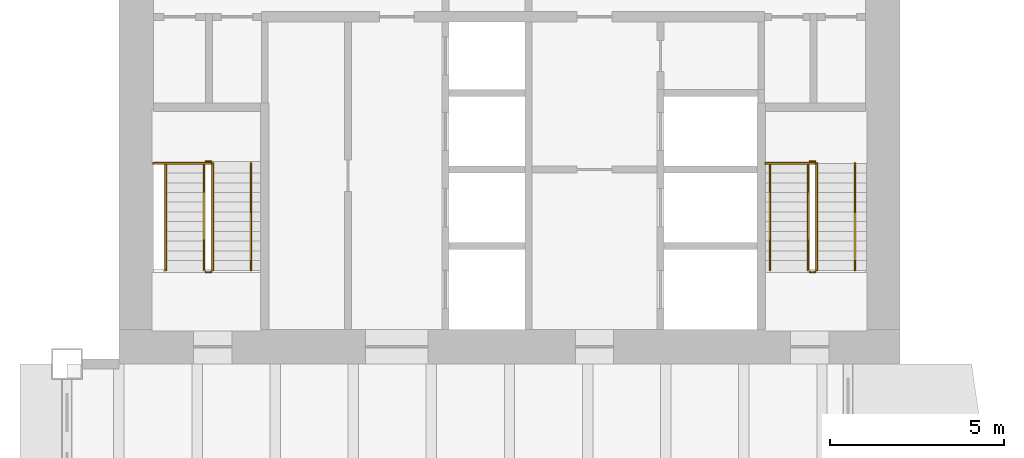
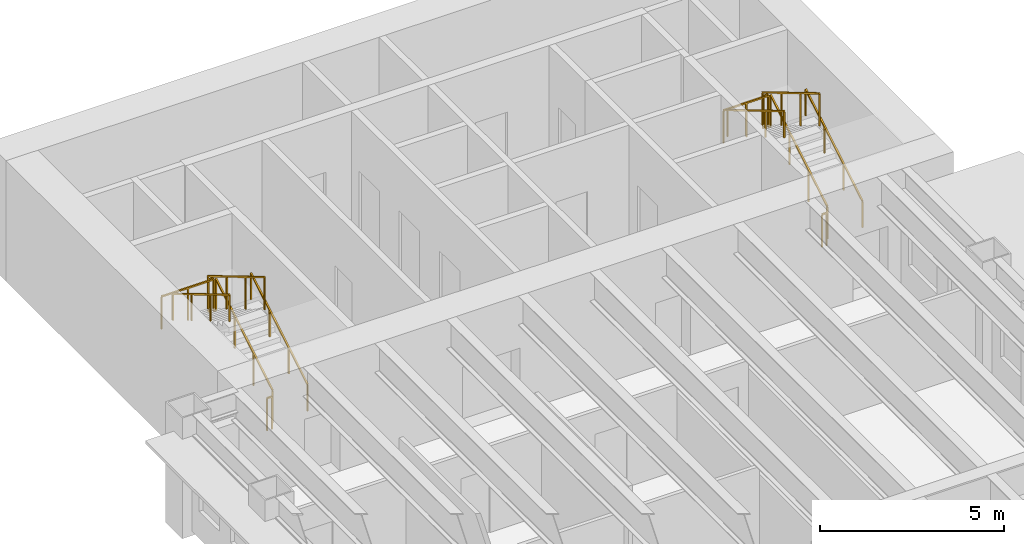
# One storey, part 16 of 16: 14 railings.
"""IFC4 building model written with IfcOpenShell, lengths in metres."""

from ifc_helpers import new_model, si_unit, direction, frame, origin, origin_2d, place, context, subcontext, project, spatial, rectangle, extrude, material, type_object, element, save


model = new_model("IFC4")

# Units and contexts
model_context = context("Model", 3, precision=1e-05, world=origin(), true_north=direction((0.0, 1.0)))
body_context = subcontext(model_context, "Body", "Model", "MODEL_VIEW")
ifc_project = project(units=[si_unit("LENGTHUNIT", "METRE"), si_unit("AREAUNIT", "SQUARE_METRE"), si_unit("VOLUMEUNIT", "CUBIC_METRE"), si_unit("PLANEANGLEUNIT", "RADIAN"), si_unit("MASSUNIT", "GRAM", prefix="KILO")], contexts=[model_context])

# Site, building, storey
site_placement = place(None, origin())
site = spatial("IfcSite", under=ifc_project, at=site_placement, CompositionType="ELEMENT")
building_placement = place(site_placement, origin())
building = spatial("IfcBuilding", under=site, at=building_placement, Name="Sennacour Bend Tower", CompositionType="ELEMENT")
storey_placement = place(building_placement, frame((0.0, 0.0, 179.0)))
storey = spatial("IfcBuildingStorey", under=building, at=storey_placement, Name="L41", CompositionType="ELEMENT", Elevation=179.0)

# Railings
ifc_material = material(Name="Stainless steel", Category="steel")
railing_type_1 = type_object("IfcRailingType", Name="RL-GUARD-1100", PredefinedType="GUARDRAIL", material=ifc_material)
railing_1_placement = place(storey_placement, frame((2.699951171875, 38.699951171875, 0.166748046875)))
element("IfcRailing", 1, at=railing_1_placement, inside=storey, type_object=railing_type_1, Name="L41 SB1 stair guard 1", PredefinedType="GUARDRAIL", context=body_context, shape_type="SweptSolid", body=[
    extrude(rectangle(XDim=0.048095703125, YDim=0.048095703125, at=origin_2d()), frame((0.0, 0.0, 1.076171875), z_axis=(0.0, 0.859308565015, 0.511457515432), x_axis=(-1.0, 0.0, 0.0)), (0.0, 0.0, 1.0), 3.58447265625),
    extrude(rectangle(XDim=0.0419921875, YDim=0.0419921875, at=origin_2d()), origin(), (0.0, 0.0, 1.0), 1.052001953125),
    extrude(rectangle(XDim=0.0419921875, YDim=0.0419921875, at=origin_2d()), frame((0.0, 1.026611328125, 0.611083984375)), (0.0, 0.0, 1.0), 1.052001953125),
    extrude(rectangle(XDim=0.0419921875, YDim=0.0419921875, at=origin_2d()), frame((0.0, 2.053466796875, 1.22216796875)), (0.0, 0.0, 1.0), 1.052001953125),
    extrude(rectangle(XDim=0.0419921875, YDim=0.0419921875, at=origin_2d()), frame((0.0, 3.080078125, 1.833251953125)), (0.0, 0.0, 1.0), 1.052001953125),
])
railing_2_placement = place(storey_placement, frame((2.64990234375, 41.830078125, 2.0)))
element("IfcRailing", 2, at=railing_2_placement, inside=storey, type_object=railing_type_1, Name="L41 SB1 stair guard 2", PredefinedType="GUARDRAIL", context=body_context, shape_type="SweptSolid", body=[
    extrude(rectangle(XDim=0.048095703125, YDim=0.048095703125, at=origin_2d()), frame((0.0, 0.0, 1.076171875), z_axis=(-1.0, 0.0, 0.0), x_axis=(0.0, -1.0, 0.0)), (0.0, 0.0, 1.0), 0.14990234375),
    extrude(rectangle(XDim=0.0419921875, YDim=0.0419921875, at=origin_2d()), origin(), (0.0, 0.0, 1.0), 1.052001953125),
    extrude(rectangle(XDim=0.0419921875, YDim=0.0419921875, at=origin_2d()), frame((-0.14990234375, 0.0, 0.0)), (0.0, 0.0, 1.0), 1.052001953125),
])
railing_3_placement = place(storey_placement, frame((2.449951171875, 41.780029296875, 2.166748046875)))
element("IfcRailing", 3, at=railing_3_placement, inside=storey, type_object=railing_type_1, Name="L41 SB1 stair guard 4", PredefinedType="GUARDRAIL", context=body_context, shape_type="SweptSolid", body=[
    extrude(rectangle(XDim=0.048095703125, YDim=0.048095703125, at=origin_2d()), frame((0.0, 0.0, 1.076171875), z_axis=(0.0, -0.859308565015, 0.511457515432), x_axis=(1.0, 0.0, 0.0)), (0.0, 0.0, 1.0), 3.58447265625),
    extrude(rectangle(XDim=0.0419921875, YDim=0.0419921875, at=origin_2d()), origin(), (0.0, 0.0, 1.0), 1.052001953125),
    extrude(rectangle(XDim=0.0419921875, YDim=0.0419921875, at=origin_2d()), frame((0.0, -1.026611328125, 0.611083984375)), (0.0, 0.0, 1.0), 1.052001953125),
    extrude(rectangle(XDim=0.0419921875, YDim=0.0419921875, at=origin_2d()), frame((0.0, -2.053466796875, 1.22216796875)), (0.0, 0.0, 1.0), 1.052001953125),
    extrude(rectangle(XDim=0.0419921875, YDim=0.0419921875, at=origin_2d()), frame((0.0, -3.080078125, 1.833251953125)), (0.0, 0.0, 1.0), 1.052001953125),
])
railing_4_placement = place(storey_placement, frame((2.64990234375, 38.64990234375, 0.0)))
element("IfcRailing", 4, at=railing_4_placement, inside=storey, type_object=railing_type_1, Name="L41 SB1 stair guard 5", PredefinedType="GUARDRAIL", context=body_context, shape_type="SweptSolid", body=[
    extrude(rectangle(XDim=0.048095703125, YDim=0.048095703125, at=origin_2d()), frame((0.0, 0.0, 1.076171875), z_axis=(-1.0, 0.0, 0.0), x_axis=(0.0, -1.0, 0.0)), (0.0, 0.0, 1.0), 0.14990234375),
    extrude(rectangle(XDim=0.0419921875, YDim=0.0419921875, at=origin_2d()), origin(), (0.0, 0.0, 1.0), 1.052001953125),
    extrude(rectangle(XDim=0.0419921875, YDim=0.0419921875, at=origin_2d()), frame((-0.14990234375, 0.0, 0.0)), (0.0, 0.0, 1.0), 1.052001953125),
])
railing_5_placement = place(storey_placement, frame((2.64990234375, 41.780029296875, 2.0)))
element("IfcRailing", 5, at=railing_5_placement, inside=storey, type_object=railing_type_1, Name="L41 SB1 landing edge guard 66", PredefinedType="GUARDRAIL", context=body_context, shape_type="SweptSolid", body=[
    extrude(rectangle(XDim=0.048095703125, YDim=0.048095703125, at=origin_2d()), frame((0.0, 0.0, 1.076171875), z_axis=(-1.0, 0.0, 0.0), x_axis=(0.0, -1.0, 0.0)), (0.0, 0.0, 1.0), 1.64990234375),
    extrude(rectangle(XDim=0.0419921875, YDim=0.0419921875, at=origin_2d()), origin(), (0.0, 0.0, 1.0), 1.052001953125),
    extrude(rectangle(XDim=0.0419921875, YDim=0.0419921875, at=origin_2d()), frame((-0.824951171875, 0.0, 0.0)), (0.0, 0.0, 1.0), 1.052001953125),
    extrude(rectangle(XDim=0.0419921875, YDim=0.0419921875, at=origin_2d()), frame((-1.64990234375, 0.0, 0.0)), (0.0, 0.0, 1.0), 1.052001953125),
])
railing_6_placement = place(storey_placement, frame((20.10009765625, 38.699951171875, 0.166748046875)))
element("IfcRailing", 6, at=railing_6_placement, inside=storey, type_object=railing_type_1, Name="L41 SB2 stair guard 1", PredefinedType="GUARDRAIL", context=body_context, shape_type="SweptSolid", body=[
    extrude(rectangle(XDim=0.048095703125, YDim=0.048095703125, at=origin_2d()), frame((0.0, 0.0, 1.076171875), z_axis=(0.0, 0.859308565015, 0.511457515432), x_axis=(-1.0, 0.0, 0.0)), (0.0, 0.0, 1.0), 3.58447265625),
    extrude(rectangle(XDim=0.0419921875, YDim=0.0419921875, at=origin_2d()), origin(), (0.0, 0.0, 1.0), 1.052001953125),
    extrude(rectangle(XDim=0.0419921875, YDim=0.0419921875, at=origin_2d()), frame((0.0, 1.026611328125, 0.611083984375)), (0.0, 0.0, 1.0), 1.052001953125),
    extrude(rectangle(XDim=0.0419921875, YDim=0.0419921875, at=origin_2d()), frame((0.0, 2.053466796875, 1.22216796875)), (0.0, 0.0, 1.0), 1.052001953125),
    extrude(rectangle(XDim=0.0419921875, YDim=0.0419921875, at=origin_2d()), frame((0.0, 3.080078125, 1.833251953125)), (0.0, 0.0, 1.0), 1.052001953125),
])
railing_7_placement = place(storey_placement, frame((20.050048828125, 41.830078125, 2.0)))
element("IfcRailing", 7, at=railing_7_placement, inside=storey, type_object=railing_type_1, Name="L41 SB2 stair guard 2", PredefinedType="GUARDRAIL", context=body_context, shape_type="SweptSolid", body=[
    extrude(rectangle(XDim=0.048095703125, YDim=0.048095703125, at=origin_2d()), frame((0.0, 0.0, 1.076171875), z_axis=(-1.0, 0.0, 0.0), x_axis=(0.0, -1.0, 0.0)), (0.0, 0.0, 1.0), 0.150146484375),
    extrude(rectangle(XDim=0.0419921875, YDim=0.0419921875, at=origin_2d()), origin(), (0.0, 0.0, 1.0), 1.052001953125),
    extrude(rectangle(XDim=0.0419921875, YDim=0.0419921875, at=origin_2d()), frame((-0.150146484375, 0.0, 0.0)), (0.0, 0.0, 1.0), 1.052001953125),
])
railing_8_placement = place(storey_placement, frame((19.85009765625, 41.780029296875, 2.166748046875)))
element("IfcRailing", 8, at=railing_8_placement, inside=storey, type_object=railing_type_1, Name="L41 SB2 stair guard 4", PredefinedType="GUARDRAIL", context=body_context, shape_type="SweptSolid", body=[
    extrude(rectangle(XDim=0.048095703125, YDim=0.048095703125, at=origin_2d()), frame((0.0, 0.0, 1.076171875), z_axis=(0.0, -0.859308565015, 0.511457515432), x_axis=(1.0, 0.0, 0.0)), (0.0, 0.0, 1.0), 3.58447265625),
    extrude(rectangle(XDim=0.0419921875, YDim=0.0419921875, at=origin_2d()), origin(), (0.0, 0.0, 1.0), 1.052001953125),
    extrude(rectangle(XDim=0.0419921875, YDim=0.0419921875, at=origin_2d()), frame((0.0, -1.026611328125, 0.611083984375)), (0.0, 0.0, 1.0), 1.052001953125),
    extrude(rectangle(XDim=0.0419921875, YDim=0.0419921875, at=origin_2d()), frame((0.0, -2.053466796875, 1.22216796875)), (0.0, 0.0, 1.0), 1.052001953125),
    extrude(rectangle(XDim=0.0419921875, YDim=0.0419921875, at=origin_2d()), frame((0.0, -3.080078125, 1.833251953125)), (0.0, 0.0, 1.0), 1.052001953125),
])
railing_9_placement = place(storey_placement, frame((20.050048828125, 38.64990234375, 0.0)))
element("IfcRailing", 9, at=railing_9_placement, inside=storey, type_object=railing_type_1, Name="L41 SB2 stair guard 5", PredefinedType="GUARDRAIL", context=body_context, shape_type="SweptSolid", body=[
    extrude(rectangle(XDim=0.048095703125, YDim=0.048095703125, at=origin_2d()), frame((0.0, 0.0, 1.076171875), z_axis=(-1.0, 0.0, 0.0), x_axis=(0.0, -1.0, 0.0)), (0.0, 0.0, 1.0), 0.150146484375),
    extrude(rectangle(XDim=0.0419921875, YDim=0.0419921875, at=origin_2d()), origin(), (0.0, 0.0, 1.0), 1.052001953125),
    extrude(rectangle(XDim=0.0419921875, YDim=0.0419921875, at=origin_2d()), frame((-0.150146484375, 0.0, 0.0)), (0.0, 0.0, 1.0), 1.052001953125),
])
railing_10_placement = place(storey_placement, frame((20.050048828125, 41.780029296875, 2.0)))
element("IfcRailing", 10, at=railing_10_placement, inside=storey, type_object=railing_type_1, Name="L41 SB2 landing edge guard 56", PredefinedType="GUARDRAIL", context=body_context, shape_type="SweptSolid", body=[
    extrude(rectangle(XDim=0.048095703125, YDim=0.048095703125, at=origin_2d()), frame((0.0, 0.0, 1.076171875), z_axis=(-1.0, 0.0, 0.0), x_axis=(0.0, -1.0, 0.0)), (0.0, 0.0, 1.0), 1.425048828125),
    extrude(rectangle(XDim=0.0419921875, YDim=0.0419921875, at=origin_2d()), origin(), (0.0, 0.0, 1.0), 1.052001953125),
    extrude(rectangle(XDim=0.0419921875, YDim=0.0419921875, at=origin_2d()), frame((-0.71240234375, 0.0, 0.0)), (0.0, 0.0, 1.0), 1.052001953125),
    extrude(rectangle(XDim=0.0419921875, YDim=0.0419921875, at=origin_2d()), frame((-1.425048828125, 0.0, 0.0)), (0.0, 0.0, 1.0), 1.052001953125),
])
railing_type_2 = type_object("IfcRailingType", Name="RL-HANDRAIL-900", PredefinedType="HANDRAIL", material=ifc_material)
railing_11_placement = place(storey_placement, frame((3.800048828125, 38.699951171875, 0.166748046875)))
element("IfcRailing", 11, at=railing_11_placement, inside=storey, type_object=railing_type_2, Name="L41 SB1 stair handrail 1", PredefinedType="HANDRAIL", context=body_context, shape_type="SweptSolid", body=[
    extrude(rectangle(XDim=0.048095703125, YDim=0.048095703125, at=origin_2d()), frame((0.0, 0.0, 0.8759765625), z_axis=(0.0, 0.859308565015, 0.511457515432), x_axis=(-1.0, 0.0, 0.0)), (0.0, 0.0, 1.0), 3.58447265625),
    extrude(rectangle(XDim=0.0419921875, YDim=0.0419921875, at=origin_2d()), origin(), (0.0, 0.0, 1.0), 0.851806640625),
    extrude(rectangle(XDim=0.0419921875, YDim=0.0419921875, at=origin_2d()), frame((0.0, 1.026611328125, 0.611083984375)), (0.0, 0.0, 1.0), 0.851806640625),
    extrude(rectangle(XDim=0.0419921875, YDim=0.0419921875, at=origin_2d()), frame((0.0, 2.053466796875, 1.22216796875)), (0.0, 0.0, 1.0), 0.851806640625),
    extrude(rectangle(XDim=0.0419921875, YDim=0.0419921875, at=origin_2d()), frame((0.0, 3.080078125, 1.833251953125)), (0.0, 0.0, 1.0), 0.851806640625),
])
railing_12_placement = place(storey_placement, frame((1.35009765625, 41.780029296875, 2.166748046875)))
element("IfcRailing", 12, at=railing_12_placement, inside=storey, type_object=railing_type_2, Name="L41 SB1 stair handrail 2", PredefinedType="HANDRAIL", context=body_context, shape_type="SweptSolid", body=[
    extrude(rectangle(XDim=0.048095703125, YDim=0.048095703125, at=origin_2d()), frame((0.0, 0.0, 0.8759765625), z_axis=(0.0, -0.859308565015, 0.511457515432), x_axis=(1.0, 0.0, 0.0)), (0.0, 0.0, 1.0), 3.58447265625),
    extrude(rectangle(XDim=0.0419921875, YDim=0.0419921875, at=origin_2d()), origin(), (0.0, 0.0, 1.0), 0.851806640625),
    extrude(rectangle(XDim=0.0419921875, YDim=0.0419921875, at=origin_2d()), frame((0.0, -1.026611328125, 0.611083984375)), (0.0, 0.0, 1.0), 0.851806640625),
    extrude(rectangle(XDim=0.0419921875, YDim=0.0419921875, at=origin_2d()), frame((0.0, -2.053466796875, 1.22216796875)), (0.0, 0.0, 1.0), 0.851806640625),
    extrude(rectangle(XDim=0.0419921875, YDim=0.0419921875, at=origin_2d()), frame((0.0, -3.080078125, 1.833251953125)), (0.0, 0.0, 1.0), 0.851806640625),
])
railing_13_placement = place(storey_placement, frame((21.199951171875, 38.699951171875, 0.166748046875)))
element("IfcRailing", 13, at=railing_13_placement, inside=storey, type_object=railing_type_2, Name="L41 SB2 stair handrail 1", PredefinedType="HANDRAIL", context=body_context, shape_type="SweptSolid", body=[
    extrude(rectangle(XDim=0.048095703125, YDim=0.048095703125, at=origin_2d()), frame((0.0, 0.0, 0.8759765625), z_axis=(0.0, 0.859308565015, 0.511457515432), x_axis=(-1.0, 0.0, 0.0)), (0.0, 0.0, 1.0), 3.58447265625),
    extrude(rectangle(XDim=0.0419921875, YDim=0.0419921875, at=origin_2d()), origin(), (0.0, 0.0, 1.0), 0.851806640625),
    extrude(rectangle(XDim=0.0419921875, YDim=0.0419921875, at=origin_2d()), frame((0.0, 1.026611328125, 0.611083984375)), (0.0, 0.0, 1.0), 0.851806640625),
    extrude(rectangle(XDim=0.0419921875, YDim=0.0419921875, at=origin_2d()), frame((0.0, 2.053466796875, 1.22216796875)), (0.0, 0.0, 1.0), 0.851806640625),
    extrude(rectangle(XDim=0.0419921875, YDim=0.0419921875, at=origin_2d()), frame((0.0, 3.080078125, 1.833251953125)), (0.0, 0.0, 1.0), 0.851806640625),
])
railing_14_placement = place(storey_placement, frame((18.75, 41.780029296875, 2.166748046875)))
element("IfcRailing", 14, at=railing_14_placement, inside=storey, type_object=railing_type_2, Name="L41 SB2 stair handrail 2", PredefinedType="HANDRAIL", context=body_context, shape_type="SweptSolid", body=[
    extrude(rectangle(XDim=0.048095703125, YDim=0.048095703125, at=origin_2d()), frame((0.0, 0.0, 0.8759765625), z_axis=(0.0, -0.859308565015, 0.511457515432), x_axis=(1.0, 0.0, 0.0)), (0.0, 0.0, 1.0), 3.58447265625),
    extrude(rectangle(XDim=0.0419921875, YDim=0.0419921875, at=origin_2d()), origin(), (0.0, 0.0, 1.0), 0.851806640625),
    extrude(rectangle(XDim=0.0419921875, YDim=0.0419921875, at=origin_2d()), frame((0.0, -1.026611328125, 0.611083984375)), (0.0, 0.0, 1.0), 0.851806640625),
    extrude(rectangle(XDim=0.0419921875, YDim=0.0419921875, at=origin_2d()), frame((0.0, -2.053466796875, 1.22216796875)), (0.0, 0.0, 1.0), 0.851806640625),
    extrude(rectangle(XDim=0.0419921875, YDim=0.0419921875, at=origin_2d()), frame((0.0, -3.080078125, 1.833251953125)), (0.0, 0.0, 1.0), 0.851806640625),
])

save(model, "model.ifc")
